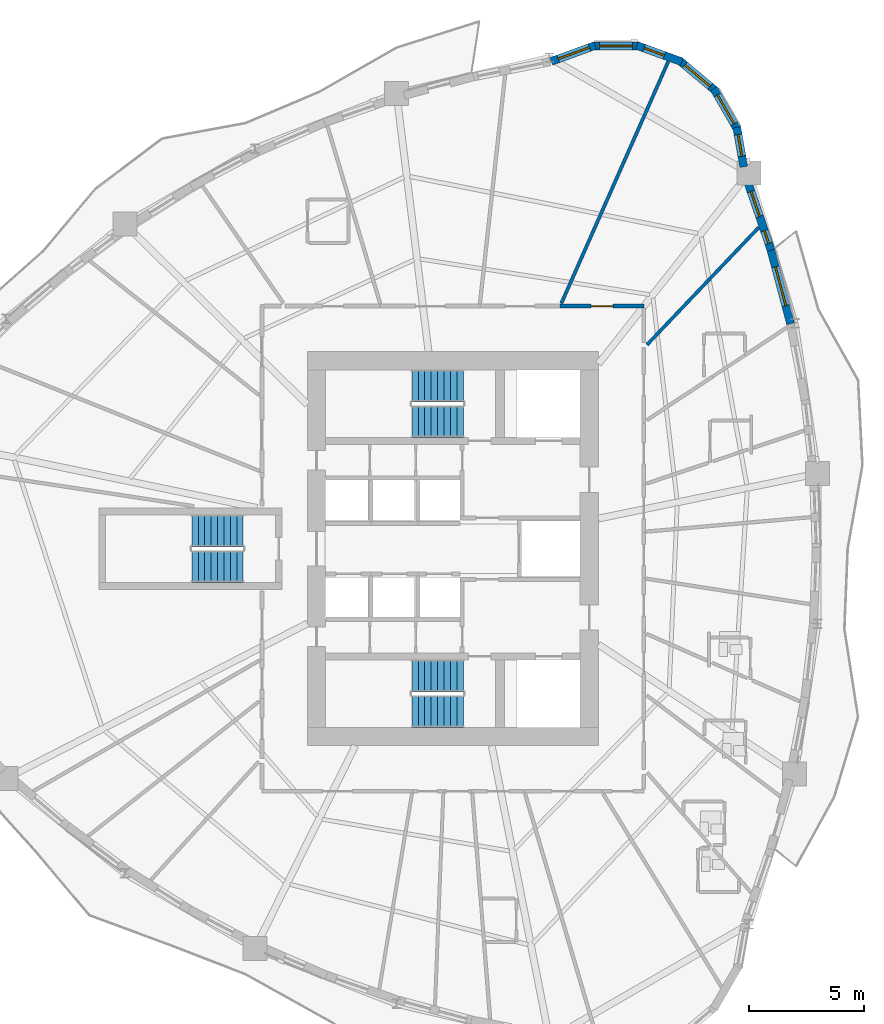
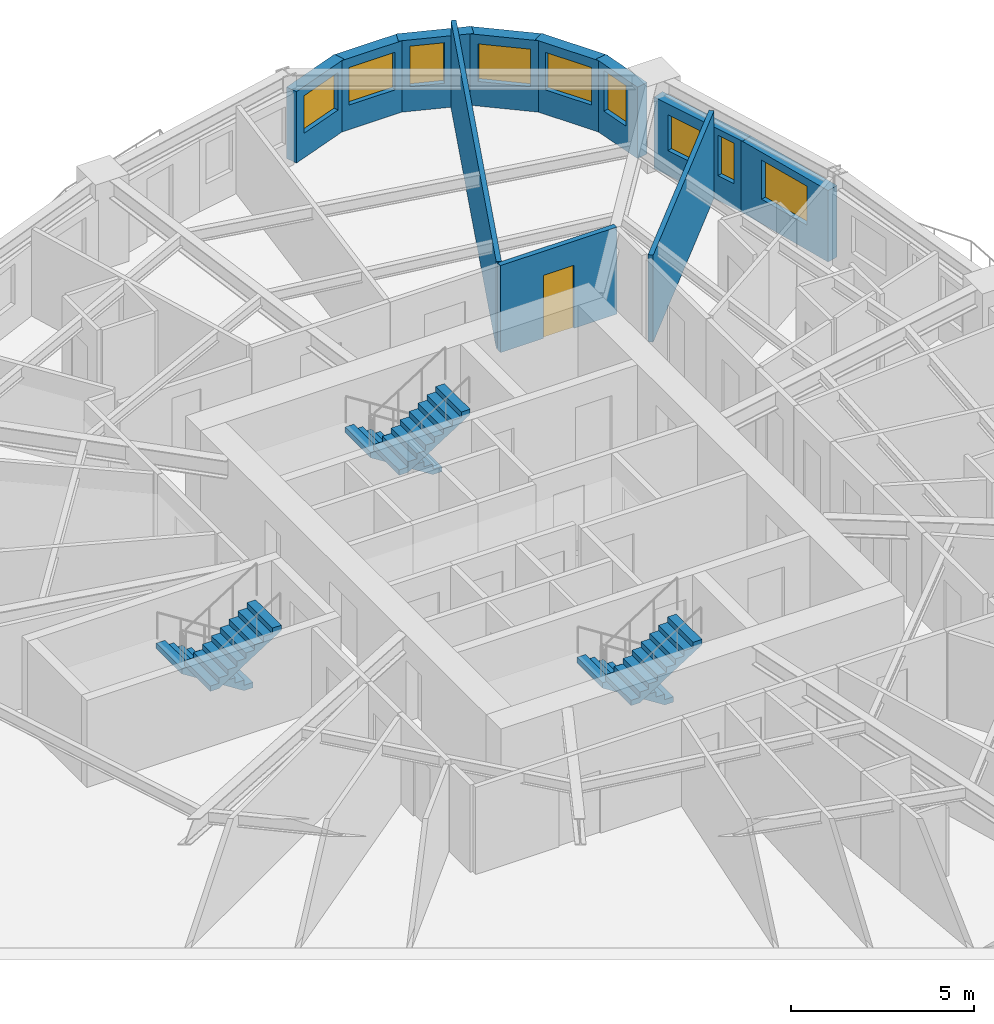
# One storey, part 9 of 13: 11 walls, 9 windows, 6 stair flights, 1 door, 10 openings, 3 elements without a shape of their own.
"""IFC4 building model written with IfcOpenShell, lengths in metres."""

from ifc_helpers import new_model, si_unit, direction, frame, frame_2d, origin, place, context, subcontext, project, spatial, polyline, rectangle, outline, extrude, source, transform, mapped, material, layer, layer_set, type_object, element, fill, aggregate, save


model = new_model("IFC4")

# Units and contexts
model_context = context("Model", 3, precision=1e-05, world=origin(), true_north=direction((0.0, 1.0)))
body_context = subcontext(model_context, "Body", "Model", "MODEL_VIEW")
ifc_project = project(units=[si_unit("LENGTHUNIT", "METRE"), si_unit("AREAUNIT", "SQUARE_METRE"), si_unit("VOLUMEUNIT", "CUBIC_METRE"), si_unit("PLANEANGLEUNIT", "RADIAN"), si_unit("MASSUNIT", "GRAM", prefix="KILO")], contexts=[model_context])

# Site, building, storey
site_placement = place(None, origin())
site = spatial("IfcSite", under=ifc_project, at=site_placement, CompositionType="ELEMENT")
building_placement = place(site_placement, origin())
building = spatial("IfcBuilding", under=site, at=building_placement, Name="Qafzar Sky-Pleat Residences", CompositionType="ELEMENT")
storey_placement = place(building_placement, frame((0.0, 0.0, 62.199951171875)))
storey = spatial("IfcBuildingStorey", under=building, at=storey_placement, Name="L18", CompositionType="ELEMENT", Elevation=62.199951171875)

# Wall, opening, door
ifc_material_1 = material(Name="Acoustic gypsum plasterboard partition", Category="gypsum")
ifc_layer_1 = layer(ifc_material_1, 0.159912109375)
ifc_layer_set_1 = layer_set([ifc_layer_1], Name="Acoustic gypsum plasterboard partition")
wall_type_1 = type_object("IfcWallType", Name="PART-COR-160", PredefinedType="PARTITIONING", material=ifc_layer_set_1)
wall_1_placement = place(storey_placement, frame((35.010986328125, 36.580078125, 0.0), z_axis=(0.0, 0.0, 1.0), x_axis=(1.0, 0.0, 0.0)))
wall_1 = element("IfcWall", 1, at=wall_1_placement, inside=storey, type_object=wall_type_1, Name="L18 Partition Wall PART-L18-PW-005", PredefinedType="PARTITIONING", context=body_context, shape_type="SweptSolid", body=[
    extrude(rectangle(XDim=3.6689453125, YDim=0.159912109375, at=frame_2d((1.83447265625, 0.0))), origin(), (0.0, 0.0, 1.0), 2.900146484375),
])
opening_1_placement = place(wall_1_placement, frame((1.362548828125, 0.0, 0.0)))
opening_1 = element("IfcOpeningElement", 2, at=opening_1_placement, cuts=wall_1, Name="Opening ID-06", PredefinedType="OPENING", context=body_context, shape_type="SweptSolid", body=[
    extrude(rectangle(XDim=0.9599609375, YDim=2.10009765625, at=frame_2d((0.47998046875, 1.050048828125))), frame((0.0, 0.08984375, 0.0), z_axis=(0.0, -1.0, 0.0), x_axis=(1.0, 0.0, 0.0)), (0.0, 0.0, 1.0), 0.179931640625),
])
ifc_material_2 = material(Name="Timber-faced fire door", Category="wood")
door_type = type_object("IfcDoorType", Name="DR-STD-960", OperationType="NOTDEFINED", PredefinedType="DOOR", material=ifc_material_2)
shared_shape_1 = source(origin(), body_context, "Body", "SweptSolid", [
    extrude(rectangle(XDim=0.9599609375, YDim=2.10009765625, at=frame_2d((0.47998046875, 1.050048828125))), frame((0.0, 0.02490234375, 0.0), z_axis=(0.0, -1.0, 0.0), x_axis=(1.0, 0.0, 0.0)), (0.0, 0.0, 1.0), 0.050048828125),
])
door_placement = place(opening_1_placement, origin())
door = element("IfcDoor", 3, at=door_placement, inside=storey, type_object=door_type, Name="L18 Scholar Co-Working Workspace Door", OperationType="SINGLE_SWING_RIGHT", OverallHeight=2.10009765625, OverallWidth=0.9599609375, PredefinedType="DOOR", context=body_context, shape_type="MappedRepresentation", body=[
    mapped(shared_shape_1, transform((0.0, 0.0, 0.0), x_axis=(1.0, 0.0, 0.0), y_axis=(0.0, 1.0, 0.0), z_axis=(0.0, 0.0, 1.0), scale=1.0)),
])
fill(opening_1, door)

# Walls
ifc_layer_2 = layer(ifc_material_1, 0.14501953125)
ifc_layer_set_2 = layer_set([ifc_layer_2], Name="Acoustic gypsum plasterboard partition")
wall_type_2 = type_object("IfcWallType", Name="PART-UNIT-145", PredefinedType="PARTITIONING", material=ifc_layer_set_2)
wall_2_placement = place(storey_placement, frame((35.07861328125, 36.696533203125, 0.0), z_axis=(0.0, 0.0, 1.0), x_axis=(0.404349483928, 0.914604556542, 0.0)))
element("IfcWall", 4, at=wall_2_placement, inside=storey, type_object=wall_type_2, Name="L18 Partition Wall PART-L18-PW-034", PredefinedType="PARTITIONING", context=body_context, shape_type="SweptSolid", body=[
    extrude(rectangle(XDim=11.540283203125, YDim=0.14501953125, at=frame_2d((5.77001953125, 0.0))), origin(), (0.0, 0.0, 1.0), 2.900146484375),
])
wall_3_placement = place(storey_placement, frame((38.818115234375, 34.892822265625, 0.0), z_axis=(0.0, 0.0, 1.0), x_axis=(0.68961378572, 0.724177344678, 0.0)))
element("IfcWall", 5, at=wall_3_placement, inside=storey, type_object=wall_type_2, Name="L18 Partition Wall PART-L18-PW-046", PredefinedType="PARTITIONING", context=body_context, shape_type="SweptSolid", body=[
    extrude(rectangle(XDim=7.070556640625, YDim=0.14501953125, at=frame_2d((3.53515625, 0.0))), origin(), (0.0, 0.0, 1.0), 2.900146484375),
])

# Wall, opening, window
ifc_material_3 = material(Name="Precast concrete C40/50 with honed Riyadh limestone", Category="concrete")
ifc_layer_3 = layer(ifc_material_3, 0.35009765625)
ifc_layer_set_3 = layer_set([ifc_layer_3], Name="Precast concrete C40/50 with honed Riyadh limestone")
wall_type_3 = type_object("IfcWallType", Name="WALL-EXT-350", PredefinedType="SOLIDWALL", material=ifc_layer_set_3)
wall_4_placement = place(storey_placement, frame((45.081298828125, 35.80810546875, 0.0), z_axis=(0.0, 0.0, 1.0), x_axis=(-0.257114470429, 0.966380954436, 0.0)))
wall_4 = element("IfcWall", 6, at=wall_4_placement, inside=storey, type_object=wall_type_3, Name="L18 Limestone Facade Wall 31", PredefinedType="SOLIDWALL", context=body_context, shape_type="SweptSolid", body=[
    extrude(rectangle(XDim=3.409912109375, YDim=0.35009765625, at=frame_2d((1.705078125, 0.0))), origin(), (0.0, 0.0, 1.0), 2.380126953125),
])
opening_2_placement = place(wall_4_placement, frame((0.820068359375, 0.0, 0.820068359375)))
opening_2 = element("IfcOpeningElement", 7, at=opening_2_placement, cuts=wall_4, Name="Opening WN-14", PredefinedType="OPENING", context=body_context, shape_type="SweptSolid", body=[
    extrude(rectangle(XDim=1.75, YDim=1.300048828125, at=frame_2d((0.875, 0.64990234375))), frame((0.0, 0.18505859375, 0.0), z_axis=(0.0, -1.0, 0.0), x_axis=(1.0, 0.0, 0.0)), (0.0, 0.0, 1.0), 0.3701171875),
])
ifc_material_4 = material(Name="Solar-control low-E glass in bronze aluminium frame", Category="glass")
window_type_1 = type_object("IfcWindowType", Name="WIN-14", PartitioningType="DOUBLE_PANEL_VERTICAL", PredefinedType="WINDOW", material=ifc_material_4)
shared_shape_2 = source(origin(), body_context, "Body", "SweptSolid", [
    extrude(rectangle(XDim=1.75, YDim=1.300048828125, at=frame_2d((0.875, 0.64990234375))), frame((0.0, 0.030029296875, 0.0), z_axis=(0.0, -1.0, 0.0), x_axis=(1.0, 0.0, 0.0)), (0.0, 0.0, 1.0), 0.06005859375),
])
window_1_placement = place(opening_2_placement, origin())
window_1 = element("IfcWindow", 8, at=window_1_placement, inside=storey, type_object=window_type_1, Name="L18 Punched Facade Window 31", OverallHeight=1.300048828125, OverallWidth=1.75, PartitioningType="SINGLE_PANEL", PredefinedType="WINDOW", context=body_context, shape_type="MappedRepresentation", body=[
    mapped(shared_shape_2, transform((0.0, 0.0, 0.0), x_axis=(1.0, 0.0, 0.0), y_axis=(0.0, 1.0, 0.0), z_axis=(0.0, 0.0, 1.0), scale=1.0)),
])
fill(opening_2, window_1)

# Wall, openings, windows
wall_5_placement = place(storey_placement, frame((44.230224609375, 39.01904296875, 0.0), z_axis=(0.0, 0.0, 1.0), x_axis=(-0.323560153501, 0.94620760252, 0.0)))
wall_5 = element("IfcWall", 9, at=wall_5_placement, inside=storey, type_object=wall_type_3, Name="L18 Limestone Facade Wall 32", PredefinedType="SOLIDWALL", context=body_context, shape_type="SweptSolid", body=[
    extrude(rectangle(XDim=3.202392578125, YDim=0.35009765625, at=frame_2d((1.60107421875, 0.0))), origin(), (0.0, 0.0, 1.0), 2.380126953125),
])
opening_3_placement = place(wall_5_placement, frame((0.3125, 0.0, 0.820068359375)))
opening_3 = element("IfcOpeningElement", 10, at=opening_3_placement, cuts=wall_5, Name="Opening WN-17", PredefinedType="OPENING", context=body_context, shape_type="SweptSolid", body=[
    extrude(rectangle(XDim=0.580078125, YDim=1.35009765625, at=frame_2d((0.2900390625, 0.675048828125))), frame((0.0, 0.18505859375, 0.0), z_axis=(0.0, -1.0, 0.0), x_axis=(1.0, 0.0, 0.0)), (0.0, 0.0, 1.0), 0.3701171875),
])
opening_4_placement = place(wall_5_placement, frame((1.5537109375, 0.0, 0.820068359375)))
opening_4 = element("IfcOpeningElement", 11, at=opening_4_placement, cuts=wall_5, Name="Opening WN-16", PredefinedType="OPENING", context=body_context, shape_type="SweptSolid", body=[
    extrude(rectangle(XDim=1.14990234375, YDim=1.199951171875, at=frame_2d((0.574951171875, 0.60009765625))), frame((0.0, 0.18505859375, 0.0), z_axis=(0.0, -1.0, 0.0), x_axis=(1.0, 0.0, 0.0)), (0.0, 0.0, 1.0), 0.3701171875),
])
window_type_2 = type_object("IfcWindowType", Name="WIN-17", PartitioningType="SINGLE_PANEL", PredefinedType="WINDOW", material=ifc_material_4)
shared_shape_3 = source(origin(), body_context, "Body", "SweptSolid", [
    extrude(rectangle(XDim=0.580078125, YDim=1.35009765625, at=frame_2d((0.2900390625, 0.675048828125))), frame((0.0, 0.030029296875, 0.0), z_axis=(0.0, -1.0, 0.0), x_axis=(1.0, 0.0, 0.0)), (0.0, 0.0, 1.0), 0.06005859375),
])
window_2_placement = place(opening_3_placement, origin())
window_2 = element("IfcWindow", 12, at=window_2_placement, inside=storey, type_object=window_type_2, Name="L18 Punched Facade Window 32", OverallHeight=1.35009765625, OverallWidth=0.580078125, PartitioningType="SINGLE_PANEL", PredefinedType="WINDOW", context=body_context, shape_type="MappedRepresentation", body=[
    mapped(shared_shape_3, transform((0.0, 0.0, 0.0), x_axis=(1.0, 0.0, 0.0), y_axis=(0.0, 1.0, 0.0), z_axis=(0.0, 0.0, 1.0), scale=1.0)),
])
fill(opening_3, window_2)
window_type_3 = type_object("IfcWindowType", Name="WIN-16", PartitioningType="SINGLE_PANEL", PredefinedType="WINDOW", material=ifc_material_4)
shared_shape_4 = source(origin(), body_context, "Body", "SweptSolid", [
    extrude(rectangle(XDim=1.14990234375, YDim=1.199951171875, at=frame_2d((0.574951171875, 0.60009765625))), frame((0.0, 0.030029296875, 0.0), z_axis=(0.0, -1.0, 0.0), x_axis=(1.0, 0.0, 0.0)), (0.0, 0.0, 1.0), 0.06005859375),
])
window_3_placement = place(opening_4_placement, origin())
window_3 = element("IfcWindow", 13, at=window_3_placement, inside=storey, type_object=window_type_3, Name="L18 Punched Facade Window 32-2", OverallHeight=1.199951171875, OverallWidth=1.14990234375, PartitioningType="SINGLE_PANEL", PredefinedType="WINDOW", context=body_context, shape_type="MappedRepresentation", body=[
    mapped(shared_shape_4, transform((0.0, 0.0, 0.0), x_axis=(1.0, 0.0, 0.0), y_axis=(0.0, 1.0, 0.0), z_axis=(0.0, 0.0, 1.0), scale=1.0)),
])
fill(opening_4, window_3)

# Wall, opening, window
wall_6_placement = place(storey_placement, frame((43.0380859375, 42.654541015625, 0.0), z_axis=(0.0, 0.0, 1.0), x_axis=(-0.173610462023, 0.984814402553, 0.0)))
wall_6 = element("IfcWall", 14, at=wall_6_placement, inside=storey, type_object=wall_type_3, Name="L18 Limestone Facade Wall 33", PredefinedType="SOLIDWALL", context=body_context, shape_type="SweptSolid", body=[
    extrude(rectangle(XDim=1.752197265625, YDim=0.35009765625, at=frame_2d((0.8759765625, 0.0))), origin(), (0.0, 0.0, 1.0), 2.380126953125),
])
opening_5_placement = place(wall_6_placement, frame((0.476318359375, 0.0, 0.820068359375)))
opening_5 = element("IfcOpeningElement", 15, at=opening_5_placement, cuts=wall_6, Name="Opening WN-12", PredefinedType="OPENING", context=body_context, shape_type="SweptSolid", body=[
    extrude(rectangle(XDim=0.949951171875, YDim=1.35009765625, at=frame_2d((0.47509765625, 0.675048828125))), frame((0.0, 0.18505859375, 0.0), z_axis=(0.0, -1.0, 0.0), x_axis=(1.0, 0.0, 0.0)), (0.0, 0.0, 1.0), 0.3701171875),
])
window_type_4 = type_object("IfcWindowType", Name="WIN-12", PartitioningType="SINGLE_PANEL", PredefinedType="WINDOW", material=ifc_material_4)
shared_shape_5 = source(origin(), body_context, "Body", "SweptSolid", [
    extrude(rectangle(XDim=0.949951171875, YDim=1.35009765625, at=frame_2d((0.47509765625, 0.675048828125))), frame((0.0, 0.030029296875, 0.0), z_axis=(0.0, -1.0, 0.0), x_axis=(1.0, 0.0, 0.0)), (0.0, 0.0, 1.0), 0.06005859375),
])
window_4_placement = place(opening_5_placement, origin())
window_4 = element("IfcWindow", 16, at=window_4_placement, inside=storey, type_object=window_type_4, Name="L18 Punched Facade Window 33", OverallHeight=1.35009765625, OverallWidth=0.949951171875, PartitioningType="SINGLE_PANEL", PredefinedType="WINDOW", context=body_context, shape_type="MappedRepresentation", body=[
    mapped(shared_shape_5, transform((0.0, 0.0, 0.0), x_axis=(1.0, 0.0, 0.0), y_axis=(0.0, 1.0, 0.0), z_axis=(0.0, 0.0, 1.0), scale=1.0)),
])
fill(opening_5, window_4)

wall_7_placement = place(storey_placement, frame((42.780029296875, 44.252685546875, 0.0), z_axis=(0.0, 0.0, 1.0), x_axis=(-0.49990781971, 0.866078617559, 0.0)))
wall_7 = element("IfcWall", 17, at=wall_7_placement, inside=storey, type_object=wall_type_3, Name="L18 Limestone Facade Wall 34", PredefinedType="SOLIDWALL", context=body_context, shape_type="SweptSolid", body=[
    extrude(rectangle(XDim=2.09033203125, YDim=0.35009765625, at=frame_2d((1.045166015625, 0.0))), origin(), (0.0, 0.0, 1.0), 2.380126953125),
])
opening_6_placement = place(wall_7_placement, frame((0.3203125, 0.0, 0.820068359375)))
opening_6 = element("IfcOpeningElement", 18, at=opening_6_placement, cuts=wall_7, Name="Opening WN-15", PredefinedType="OPENING", context=body_context, shape_type="SweptSolid", body=[
    extrude(rectangle(XDim=1.449951171875, YDim=1.25, at=frame_2d((0.72509765625, 0.625))), frame((0.0, 0.18505859375, 0.0), z_axis=(0.0, -1.0, 0.0), x_axis=(1.0, 0.0, 0.0)), (0.0, 0.0, 1.0), 0.3701171875),
])
window_type_5 = type_object("IfcWindowType", Name="WIN-15", PartitioningType="SINGLE_PANEL", PredefinedType="WINDOW", material=ifc_material_4)
shared_shape_6 = source(origin(), body_context, "Body", "SweptSolid", [
    extrude(rectangle(XDim=1.449951171875, YDim=1.25, at=frame_2d((0.72509765625, 0.625))), frame((0.0, 0.030029296875, 0.0), z_axis=(0.0, -1.0, 0.0), x_axis=(1.0, 0.0, 0.0)), (0.0, 0.0, 1.0), 0.06005859375),
])
window_5_placement = place(opening_6_placement, origin())
window_5 = element("IfcWindow", 19, at=window_5_placement, inside=storey, type_object=window_type_5, Name="L18 Punched Facade Window 34", OverallHeight=1.25, OverallWidth=1.449951171875, PartitioningType="SINGLE_PANEL", PredefinedType="WINDOW", context=body_context, shape_type="MappedRepresentation", body=[
    mapped(shared_shape_6, transform((0.0, 0.0, 0.0), x_axis=(1.0, 0.0, 0.0), y_axis=(0.0, 1.0, 0.0), z_axis=(0.0, 0.0, 1.0), scale=1.0)),
])
fill(opening_6, window_5)

wall_8_placement = place(storey_placement, frame((41.822265625, 45.959228515625, 0.0), z_axis=(0.0, 0.0, 1.0), x_axis=(-0.766024572719, 0.642811289563, 0.0)))
wall_8 = element("IfcWall", 20, at=wall_8_placement, inside=storey, type_object=wall_type_3, Name="L18 Limestone Facade Wall 35", PredefinedType="SOLIDWALL", context=body_context, shape_type="SweptSolid", body=[
    extrude(rectangle(XDim=2.09033203125, YDim=0.35009765625, at=frame_2d((1.045166015625, 0.0))), origin(), (0.0, 0.0, 1.0), 2.380126953125),
])
opening_7_placement = place(wall_8_placement, frame((0.3203125, 0.0, 0.820068359375)))
opening_7 = element("IfcOpeningElement", 21, at=opening_7_placement, cuts=wall_8, Name="Opening WN-15", PredefinedType="OPENING", context=body_context, shape_type="SweptSolid", body=[
    extrude(rectangle(XDim=1.449951171875, YDim=1.25, at=frame_2d((0.72509765625, 0.625))), frame((0.0, 0.18505859375, 0.0), z_axis=(0.0, -1.0, 0.0), x_axis=(1.0, 0.0, 0.0)), (0.0, 0.0, 1.0), 0.3701171875),
])
window_6_placement = place(opening_7_placement, origin())
window_6 = element("IfcWindow", 22, at=window_6_placement, inside=storey, type_object=window_type_5, Name="L18 Punched Facade Window 35", OverallHeight=1.25, OverallWidth=1.449951171875, PartitioningType="SINGLE_PANEL", PredefinedType="WINDOW", context=body_context, shape_type="MappedRepresentation", body=[
    mapped(shared_shape_6, transform((0.0, 0.0, 0.0), x_axis=(1.0, 0.0, 0.0), y_axis=(0.0, 1.0, 0.0), z_axis=(0.0, 0.0, 1.0), scale=1.0)),
])
fill(opening_7, window_6)

wall_9_placement = place(storey_placement, frame((40.33837890625, 47.235107421875, 0.0), z_axis=(0.0, 0.0, 1.0), x_axis=(-0.939711556618, 0.341968113072, 0.0)))
wall_9 = element("IfcWall", 23, at=wall_9_placement, inside=storey, type_object=wall_type_3, Name="L18 Limestone Facade Wall 36", PredefinedType="SOLIDWALL", context=body_context, shape_type="SweptSolid", body=[
    extrude(rectangle(XDim=2.09033203125, YDim=0.35009765625, at=frame_2d((1.045166015625, 0.0))), origin(), (0.0, 0.0, 1.0), 2.380126953125),
])
opening_8_placement = place(wall_9_placement, frame((0.81103515625, 0.0, 0.820068359375)))
opening_8 = element("IfcOpeningElement", 24, at=opening_8_placement, cuts=wall_9, Name="Opening WN-12", PredefinedType="OPENING", context=body_context, shape_type="SweptSolid", body=[
    extrude(rectangle(XDim=0.949951171875, YDim=1.35009765625, at=frame_2d((0.47509765625, 0.675048828125))), frame((0.0, 0.18505859375, 0.0), z_axis=(0.0, -1.0, 0.0), x_axis=(1.0, 0.0, 0.0)), (0.0, 0.0, 1.0), 0.3701171875),
])
window_7_placement = place(opening_8_placement, origin())
window_7 = element("IfcWindow", 25, at=window_7_placement, inside=storey, type_object=window_type_4, Name="L18 Punched Facade Window 36-2", OverallHeight=1.35009765625, OverallWidth=0.949951171875, PartitioningType="SINGLE_PANEL", PredefinedType="WINDOW", context=body_context, shape_type="MappedRepresentation", body=[
    mapped(shared_shape_5, transform((0.0, 0.0, 0.0), x_axis=(1.0, 0.0, 0.0), y_axis=(0.0, 1.0, 0.0), z_axis=(0.0, 0.0, 1.0), scale=1.0)),
])
fill(opening_8, window_7)

wall_10_placement = place(storey_placement, frame((38.5078125, 47.926513671875, 0.0), z_axis=(0.0, 0.0, 1.0), x_axis=(-1.0, 0.0, 0.0)))
wall_10 = element("IfcWall", 26, at=wall_10_placement, inside=storey, type_object=wall_type_3, Name="L18 Limestone Facade Wall 37", PredefinedType="SOLIDWALL", context=body_context, shape_type="SweptSolid", body=[
    extrude(rectangle(XDim=2.090576171875, YDim=0.35009765625, at=frame_2d((1.04541015625, 0.0))), origin(), (0.0, 0.0, 1.0), 2.380126953125),
])
opening_9_placement = place(wall_10_placement, frame((0.3203125, 0.0, 0.820068359375)))
opening_9 = element("IfcOpeningElement", 27, at=opening_9_placement, cuts=wall_10, Name="Opening WN-15", PredefinedType="OPENING", context=body_context, shape_type="SweptSolid", body=[
    extrude(rectangle(XDim=1.449951171875, YDim=1.25, at=frame_2d((0.72509765625, 0.625))), frame((0.0, 0.18505859375, 0.0), z_axis=(0.0, -1.0, 0.0), x_axis=(1.0, 0.0, 0.0)), (0.0, 0.0, 1.0), 0.3701171875),
])
window_8_placement = place(opening_9_placement, origin())
window_8 = element("IfcWindow", 28, at=window_8_placement, inside=storey, type_object=window_type_5, Name="L18 Punched Facade Window 37", OverallHeight=1.25, OverallWidth=1.449951171875, PartitioningType="SINGLE_PANEL", PredefinedType="WINDOW", context=body_context, shape_type="MappedRepresentation", body=[
    mapped(shared_shape_6, transform((0.0, 0.0, 0.0), x_axis=(1.0, 0.0, 0.0), y_axis=(0.0, 1.0, 0.0), z_axis=(0.0, 0.0, 1.0), scale=1.0)),
])
fill(opening_9, window_8)

wall_11_placement = place(storey_placement, frame((36.55078125, 47.949951171875, 0.0), z_axis=(0.0, 0.0, 1.0), x_axis=(-0.939691662178, -0.342022777067, 0.0)))
wall_11 = element("IfcWall", 29, at=wall_11_placement, inside=storey, type_object=wall_type_3, Name="L18 Limestone Facade Wall 38", PredefinedType="SOLIDWALL", context=body_context, shape_type="SweptSolid", body=[
    extrude(rectangle(XDim=2.0322265625, YDim=0.35009765625, at=frame_2d((1.01611328125, 0.0))), origin(), (0.0, 0.0, 1.0), 2.380126953125),
])
opening_10_placement = place(wall_11_placement, frame((0.260986328125, 0.0, 0.820068359375)))
opening_10 = element("IfcOpeningElement", 30, at=opening_10_placement, cuts=wall_11, Name="Opening WN-15", PredefinedType="OPENING", context=body_context, shape_type="SweptSolid", body=[
    extrude(rectangle(XDim=1.449951171875, YDim=1.25, at=frame_2d((0.72509765625, 0.625))), frame((0.0, 0.18505859375, 0.0), z_axis=(0.0, -1.0, 0.0), x_axis=(1.0, 0.0, 0.0)), (0.0, 0.0, 1.0), 0.3701171875),
])
window_9_placement = place(opening_10_placement, origin())
window_9 = element("IfcWindow", 31, at=window_9_placement, inside=storey, type_object=window_type_5, Name="L18 Punched Facade Window 38", OverallHeight=1.25, OverallWidth=1.449951171875, PartitioningType="SINGLE_PANEL", PredefinedType="WINDOW", context=body_context, shape_type="MappedRepresentation", body=[
    mapped(shared_shape_6, transform((0.0, 0.0, 0.0), x_axis=(1.0, 0.0, 0.0), y_axis=(0.0, 1.0, 0.0), z_axis=(0.0, 0.0, 1.0), scale=1.0)),
])
fill(opening_10, window_9)

# Stair, stair flights
ifc_material_5 = material(Name="Concrete C40/50", Category="concrete")
stair_type = type_object("IfcStairType", Name="STAIR-H320", PredefinedType="HALF_TURN_STAIR", material=ifc_material_5)
stair_1_placement = place(storey_placement, origin())
stair_1 = element("IfcStair", 32, at=stair_1_placement, inside=storey, type_object=stair_type, Name="L18 Protected Exit Stair ST1", PredefinedType="HALF_TURN_STAIR")
stair_flight_type = type_object("IfcStairFlightType", Name="FLIGHT-H320", PredefinedType="STRAIGHT", material=ifc_material_5)
shared_shape_7 = source(origin(), body_context, "Body", "SweptSolid", [
    extrude(outline(polyline([(0.0, 0.0), (0.0, 0.177734375), (0.280029296875, 0.177734375), (0.280029296875, 0.35546875), (0.56005859375, 0.35546875), (0.56005859375, 0.533447265625), (0.840087890625, 0.533447265625), (0.840087890625, 0.711181640625), (1.1201171875, 0.711181640625), (1.1201171875, 0.888916015625), (1.39990234375, 0.888916015625), (1.39990234375, 1.066650390625), (1.679931640625, 1.066650390625), (1.679931640625, 1.244384765625), (1.9599609375, 1.244384765625), (1.9599609375, 1.422119140625), (2.239990234375, 1.422119140625), (2.239990234375, 1.60009765625), (2.239990234375, 1.24462890625), (0.27978515625, 0.0), (0.0, 0.0)])), frame((0.0, 0.699951171875, 0.0), z_axis=(0.0, -1.0, 0.0), x_axis=(1.0, 0.0, 0.0)), (0.0, 0.0, 1.0), 1.39990234375),
])
stair_flight_1_placement = place(storey_placement, frame((30.800048828125, 20.449951171875, 0.0), z_axis=(0.0, 0.0, 1.0), x_axis=(-1.0, 0.0, 0.0)))
stair_flight_1 = element("IfcStairFlight", 33, at=stair_flight_1_placement, type_object=stair_flight_type, Name="ST1 flight 1", NumberOfRisers=9, NumberOfTreads=8, PredefinedType="STRAIGHT", RiserHeight=0.177777778, TreadLength=0.28, context=body_context, shape_type="MappedRepresentation", body=[
    mapped(shared_shape_7, transform((0.0, 0.0, 0.0), x_axis=(1.0, 0.0, 0.0), y_axis=(0.0, 1.0, 0.0), z_axis=(0.0, 0.0, 1.0), scale=1.0)),
])
stair_flight_2_placement = place(storey_placement, frame((28.56005859375, 18.89990234375, 1.60009765625), z_axis=(0.0, 0.0, 1.0), x_axis=(1.0, 0.0, 0.0)))
stair_flight_2 = element("IfcStairFlight", 34, at=stair_flight_2_placement, type_object=stair_flight_type, Name="ST1 flight 2", NumberOfRisers=9, NumberOfTreads=8, PredefinedType="STRAIGHT", RiserHeight=0.177777778, TreadLength=0.28, context=body_context, shape_type="MappedRepresentation", body=[
    mapped(shared_shape_7, transform((0.0, 0.0, 0.0), x_axis=(1.0, 0.0, 0.0), y_axis=(0.0, 1.0, 0.0), z_axis=(0.0, 0.0, 1.0), scale=1.0)),
])
aggregate(stair_1, [stair_flight_1, stair_flight_2])

stair_2_placement = place(storey_placement, origin())
stair_2 = element("IfcStair", 35, at=stair_2_placement, inside=storey, type_object=stair_type, Name="L18 Protected Exit Stair ST2", PredefinedType="HALF_TURN_STAIR")
stair_flight_3_placement = place(storey_placement, frame((30.800048828125, 33.10009765625, 0.0), z_axis=(0.0, 0.0, 1.0), x_axis=(-1.0, 0.0, 0.0)))
stair_flight_3 = element("IfcStairFlight", 36, at=stair_flight_3_placement, type_object=stair_flight_type, Name="ST2 flight 1", NumberOfRisers=9, NumberOfTreads=8, PredefinedType="STRAIGHT", RiserHeight=0.177777778, TreadLength=0.28, context=body_context, shape_type="MappedRepresentation", body=[
    mapped(shared_shape_7, transform((0.0, 0.0, 0.0), x_axis=(1.0, 0.0, 0.0), y_axis=(0.0, 1.0, 0.0), z_axis=(0.0, 0.0, 1.0), scale=1.0)),
])
stair_flight_4_placement = place(storey_placement, frame((28.56005859375, 31.550048828125, 1.60009765625), z_axis=(0.0, 0.0, 1.0), x_axis=(1.0, 0.0, 0.0)))
stair_flight_4 = element("IfcStairFlight", 37, at=stair_flight_4_placement, type_object=stair_flight_type, Name="ST2 flight 2", NumberOfRisers=9, NumberOfTreads=8, PredefinedType="STRAIGHT", RiserHeight=0.177777778, TreadLength=0.28, context=body_context, shape_type="MappedRepresentation", body=[
    mapped(shared_shape_7, transform((0.0, 0.0, 0.0), x_axis=(1.0, 0.0, 0.0), y_axis=(0.0, 1.0, 0.0), z_axis=(0.0, 0.0, 1.0), scale=1.0)),
])
aggregate(stair_2, [stair_flight_3, stair_flight_4])

stair_3_placement = place(storey_placement, origin())
stair_3 = element("IfcStair", 38, at=stair_3_placement, inside=storey, type_object=stair_type, Name="L18 Protected Exit Stair ST3", PredefinedType="HALF_TURN_STAIR")
stair_flight_5_placement = place(storey_placement, frame((21.199951171875, 26.77490234375, 0.0), z_axis=(0.0, 0.0, 1.0), x_axis=(-1.0, 0.0, 0.0)))
stair_flight_5 = element("IfcStairFlight", 39, at=stair_flight_5_placement, type_object=stair_flight_type, Name="ST3 flight 1", NumberOfRisers=9, NumberOfTreads=8, PredefinedType="STRAIGHT", RiserHeight=0.177777778, TreadLength=0.28, context=body_context, shape_type="MappedRepresentation", body=[
    mapped(shared_shape_7, transform((0.0, 0.0, 0.0), x_axis=(1.0, 0.0, 0.0), y_axis=(0.0, 1.0, 0.0), z_axis=(0.0, 0.0, 1.0), scale=1.0)),
])
stair_flight_6_placement = place(storey_placement, frame((18.9599609375, 25.22509765625, 1.60009765625), z_axis=(0.0, 0.0, 1.0), x_axis=(1.0, 0.0, 0.0)))
stair_flight_6 = element("IfcStairFlight", 40, at=stair_flight_6_placement, type_object=stair_flight_type, Name="ST3 flight 2", NumberOfRisers=9, NumberOfTreads=8, PredefinedType="STRAIGHT", RiserHeight=0.177777778, TreadLength=0.28, context=body_context, shape_type="MappedRepresentation", body=[
    mapped(shared_shape_7, transform((0.0, 0.0, 0.0), x_axis=(1.0, 0.0, 0.0), y_axis=(0.0, 1.0, 0.0), z_axis=(0.0, 0.0, 1.0), scale=1.0)),
])
aggregate(stair_3, [stair_flight_5, stair_flight_6])

save(model, "model.ifc")
